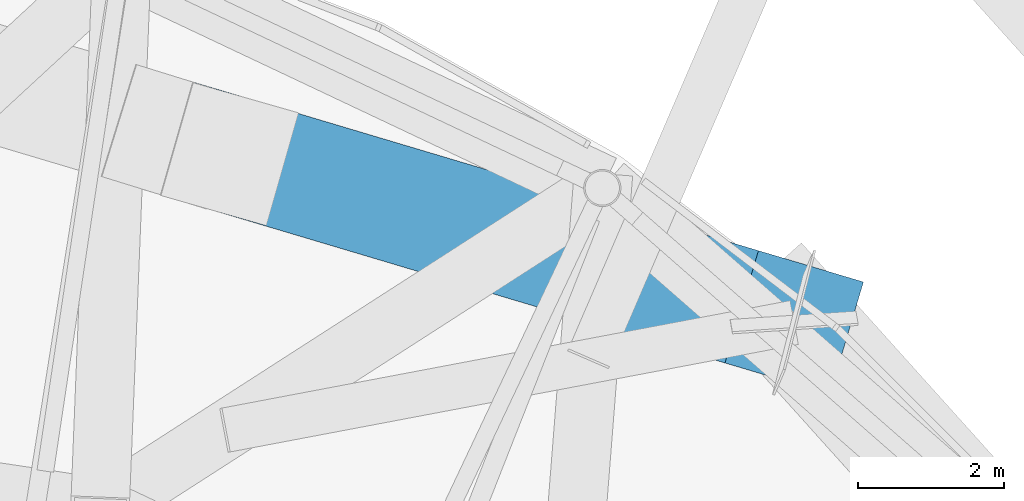
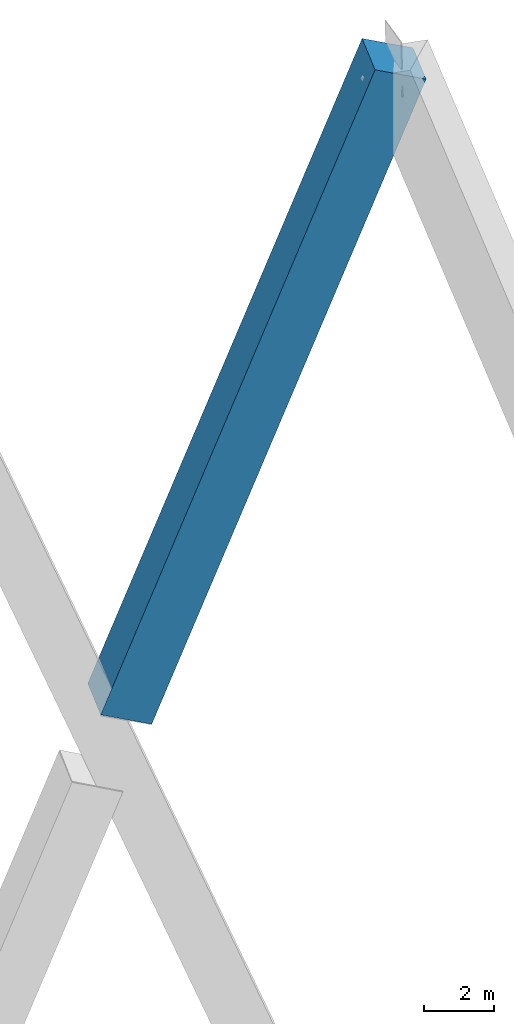
# One storey, part 47 of 65: 1 member.
"""IFC4 building model written with IfcOpenShell, lengths in metres."""

import ifcopenshell
import ifcopenshell.guid

model = None  # the IFC model being written
_history = None  # IfcOwnerHistory: only IFC2X3 demands one
_inside = {}  # id of a spatial element -> (the spatial element, [elements in it])
_under = {}  # id of a project, library or spatial element -> (it, [spatial elements below it])
_declared = {}  # id of a project -> (the project, [libraries it declares])
_typed = {}  # id of a type object -> (the type object, [elements of that type])
_made_of = {}  # id of a material, layer set ... -> (it, [elements and type objects made of it])


def new_model(schema):
    """Start an empty IFC model of exactly this schema.

    Asked for "IFC4X3", IfcOpenShell would pick the latest addendum, in which some entities
    have other attributes; the version numbers below select the first issue.
    IFC2X3 requires an IfcOwnerHistory on every rooted entity: one is made here for all.
    """
    global model, _history
    if schema == "IFC4X3":
        model = ifcopenshell.file(schema_version=(4, 3, 0, 0))
    else:
        model = ifcopenshell.file(schema=schema)
    _inside.clear()
    _under.clear()
    _declared.clear()
    _typed.clear()
    _made_of.clear()
    _history = None
    if model.schema == "IFC2X3":
        org = make("IfcOrganization", Name="unknown")
        user = make(
            "IfcPersonAndOrganization",
            ThePerson=make("IfcPerson", FamilyName="unknown"),
            TheOrganization=org,
        )
        app = make(
            "IfcApplication",
            ApplicationDeveloper=org,
            Version="unknown",
            ApplicationFullName="unknown",
            ApplicationIdentifier="unknown",
        )
        _history = make(
            "IfcOwnerHistory",
            OwningUser=user,
            OwningApplication=app,
            ChangeAction="ADDED",
            CreationDate=0,
        )
    return model


def make(cls, **values):
    """One entity of the class cls with the attributes given. An attribute that is None is left unset."""
    return model.create_entity(
        cls, **{name: value for name, value in values.items() if value is not None}
    )


def rooted(cls, **values):
    """An entity with a GlobalId (a new one), such as an element, a storey or a relation."""
    return make(cls, GlobalId=ifcopenshell.guid.new(), OwnerHistory=_history, **values)


def si_unit(unit_type, name, prefix=None):
    """IfcSIUnit, for example si_unit("LENGTHUNIT", "METRE", prefix="MILLI")."""
    return make("IfcSIUnit", UnitType=unit_type, Prefix=prefix, Name=name)


def assignment(units):
    """IfcUnitAssignment: the units of a project."""
    return None if units is None else make("IfcUnitAssignment", Units=units)


def point(xyz):
    """IfcCartesianPoint."""
    return None if xyz is None else make("IfcCartesianPoint", Coordinates=xyz)


def direction(xyz):
    """IfcDirection."""
    return None if xyz is None else make("IfcDirection", DirectionRatios=xyz)


def frame(location, z_axis=None, x_axis=None):
    """IfcAxis2Placement3D, a coordinate frame: its origin and axes. An axis left out is left unset."""
    return make(
        "IfcAxis2Placement3D",
        Location=point(location),
        Axis=direction(z_axis),
        RefDirection=direction(x_axis),
    )


def frame_2d(location, x_axis=None):
    """IfcAxis2Placement2D, a coordinate frame in the plane: its origin and x axis."""
    return make(
        "IfcAxis2Placement2D", Location=point(location), RefDirection=direction(x_axis)
    )


def origin():
    """The frame at (0, 0, 0) with its axes left unset."""
    return frame((0.0, 0.0, 0.0))


def origin_2d():
    """The frame at (0, 0) in the plane with its x axis left unset."""
    return frame_2d((0.0, 0.0))


def place(relative_to, where):
    """IfcLocalPlacement: puts the frame where relative to a parent placement (None: the world)."""
    return make(
        "IfcLocalPlacement", PlacementRelTo=relative_to, RelativePlacement=where
    )


def context(
    kind, dimensions, precision=None, world=None, true_north=None, identifier=None
):
    """IfcGeometricRepresentationContext, for example the 3D "Model" context."""
    return make(
        "IfcGeometricRepresentationContext",
        ContextIdentifier=identifier,
        ContextType=kind,
        CoordinateSpaceDimension=dimensions,
        Precision=precision,
        WorldCoordinateSystem=world,
        TrueNorth=true_north,
    )


def subcontext(parent, identifier, kind, view, scale=None):
    """IfcGeometricRepresentationSubContext, for example "Body" below "Model"."""
    return make(
        "IfcGeometricRepresentationSubContext",
        ContextIdentifier=identifier,
        ContextType=kind,
        ParentContext=parent,
        TargetScale=scale,
        TargetView=view,
    )


def project(units=None, contexts=None):
    """IfcProject with its units and contexts."""
    return rooted(
        "IfcProject",
        Name="project",
        RepresentationContexts=contexts,
        UnitsInContext=assignment(units),
    )


def spatial(cls, under=None, at=None, **own):
    """A site, building, storey or space (cls), placed at a placement, below another one or the project."""
    s = rooted(cls, ObjectPlacement=at, **own)
    if under is not None:
        _under.setdefault(under.id(), (under, []))[1].append(s)
    return s


def profile(cls, at=None, kind="AREA", **sizes):
    """A parametric profile (cls). Its sizes go by their IFC names, for example OverallWidth=200.0."""
    return make(cls, ProfileType=kind, Position=at, **sizes)


def rectangle(**sizes):
    """IfcRectangleProfileDef."""
    return profile("IfcRectangleProfileDef", **sizes)


def extrude(swept, where, along, depth):
    """IfcExtrudedAreaSolid: the profile swept, set in the frame where, extruded along a direction by depth."""
    return make(
        "IfcExtrudedAreaSolid",
        SweptArea=swept,
        Position=where,
        ExtrudedDirection=direction(along),
        Depth=depth,
    )


def shape(context_of_items, identifier, shape_type, items):
    """IfcShapeRepresentation: the items that make up one representation, for example the "Body"."""
    return make(
        "IfcShapeRepresentation",
        ContextOfItems=context_of_items,
        RepresentationIdentifier=identifier,
        RepresentationType=shape_type,
        Items=items,
    )


def material(Name=None, Category=None):
    """IfcMaterial."""
    return make("IfcMaterial", Name=Name, Category=Category)


def material_profile(
    of_material, cross_section, Name=None, Category=None, Priority=None
):
    """IfcMaterialProfile: a cross section and its material."""
    return make(
        "IfcMaterialProfile",
        Name=Name,
        Material=of_material,
        Profile=cross_section,
        Priority=Priority,
        Category=Category,
    )


def profile_set(profiles, Name=None, composite=None):
    """IfcMaterialProfileSet."""
    return make(
        "IfcMaterialProfileSet",
        Name=Name,
        MaterialProfiles=profiles,
        CompositeProfile=composite,
    )


def made_of(thing, what):
    """Note that an element or type object is made of a material, layer set ...; save() writes the relation."""
    if what is not None:
        _made_of.setdefault(what.id(), (what, []))[1].append(thing)
    return thing


def type_object(cls, material=None, **own):
    """A type object (cls), such as IfcWallType, which elements share."""
    return made_of(rooted(cls, **own), material)


def element(
    cls,
    number,
    at=None,
    inside=None,
    cuts=None,
    type_object=None,
    material=None,
    context=None,
    identifier="Body",
    shape_type=None,
    held_by="IfcProductDefinitionShape",
    body=None,
    shapes=None,
    **own,
):
    """One element of the class cls, such as IfcWall. Its Tag is "e" and its number.

    at: its placement. inside: the storey or other place that contains it. cuts: it is an
    opening in that element (IfcRelVoidsElement). A single representation is given by context,
    identifier, shape_type and body (its items); several are given by shapes. held_by: the class
    of the entity that holds the representations. save() writes the other relations.
    """
    e = rooted(cls, Tag="e%d" % number, ObjectPlacement=at, **own)
    if body is not None:
        shapes = [shape(context, identifier, shape_type, body)]
    if shapes is not None:
        e.Representation = make(held_by, Representations=shapes)
    if inside is not None:
        _inside.setdefault(inside.id(), (inside, []))[1].append(e)
    if cuts is not None:
        rooted(
            "IfcRelVoidsElement", RelatingBuildingElement=cuts, RelatedOpeningElement=e
        )
    if type_object is not None:
        _typed.setdefault(type_object.id(), (type_object, []))[1].append(e)
    return made_of(e, material)


def aggregate(whole, parts):
    """IfcRelAggregates: a whole, such as a stair, and the parts it consists of."""
    return rooted("IfcRelAggregates", RelatingObject=whole, RelatedObjects=parts)


def save(model, path):
    """Write the relations noted so far, then the file.

    IfcRelAggregates (storeys below a building ...), IfcRelContainedInSpatialStructure (elements
    in a storey), IfcRelDefinesByType, IfcRelAssociatesMaterial and IfcRelDeclares: one each for
    every whole, place, type object, material and project.
    """
    for whole, parts in _under.values():
        aggregate(whole, parts)
    for where, things in _inside.values():
        rooted(
            "IfcRelContainedInSpatialStructure",
            RelatedElements=things,
            RelatingStructure=where,
        )
    for kind, things in _typed.values():
        rooted("IfcRelDefinesByType", RelatedObjects=things, RelatingType=kind)
    for what, things in _made_of.values():
        rooted("IfcRelAssociatesMaterial", RelatedObjects=things, RelatingMaterial=what)
    for by, libraries in _declared.values():
        rooted("IfcRelDeclares", RelatingContext=by, RelatedDefinitions=libraries)
    model.write(path)


model = new_model("IFC4")

# Units and contexts
model_context = context("Model", 3, precision=1e-05, world=origin(), true_north=direction((0.0, 1.0)))
body_context = subcontext(model_context, "Body", "Model", "MODEL_VIEW")
ifc_project = project(units=[si_unit("LENGTHUNIT", "METRE"), si_unit("AREAUNIT", "SQUARE_METRE"), si_unit("VOLUMEUNIT", "CUBIC_METRE"), si_unit("PLANEANGLEUNIT", "RADIAN"), si_unit("MASSUNIT", "GRAM", prefix="KILO")], contexts=[model_context])

# Site, building, storey
site_placement = place(None, origin())
site = spatial("IfcSite", under=ifc_project, at=site_placement, CompositionType="ELEMENT")
building_placement = place(site_placement, origin())
building = spatial("IfcBuilding", under=site, at=building_placement, Name="Nagisa Residences", CompositionType="ELEMENT")
storey_placement = place(building_placement, frame((0.0, 0.0, 114.0)))
storey = spatial("IfcBuildingStorey", under=building, at=storey_placement, Name="L28", CompositionType="ELEMENT", Elevation=114.0)

# Member
ifc_material = material(Name="Concrete C80", Category="concrete")
ifc_material_profile = material_profile(ifc_material, rectangle(XDim=1.60009765625, YDim=1.60009765625, at=origin_2d()), Name="C80 1600x1600")
ifc_profile_set = profile_set([ifc_material_profile], Name="Concrete C80")
member_type = type_object("IfcMemberType", Name="Cage diagonal 3 C80 1600x1600", PredefinedType="BRACE", material=ifc_profile_set)
member_placement = place(storey_placement, frame((6.712158203125, 30.439208984375, 27.056640625), z_axis=(0.34063329828, -0.101571558889, 0.934693626023), x_axis=(0.285751311285, 0.958303807829, 0.0)))
element("IfcMember", 1, at=member_placement, inside=storey, type_object=member_type, Name="mem:L28:cg3d006b", PredefinedType="BRACE", context=body_context, shape_type="SweptSolid", body=[
    extrude(rectangle(XDim=1.60009765625, YDim=1.60009765625, at=origin_2d()), origin(), (0.0, 0.0, 1.0), 22.62060546875),
])

save(model, "model.ifc")
